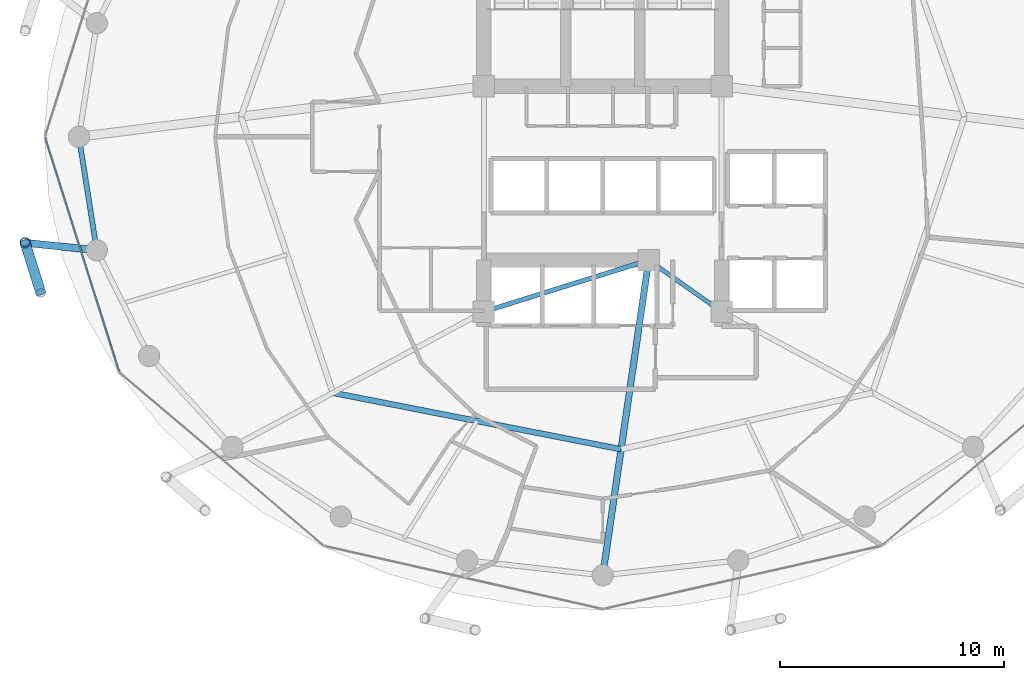
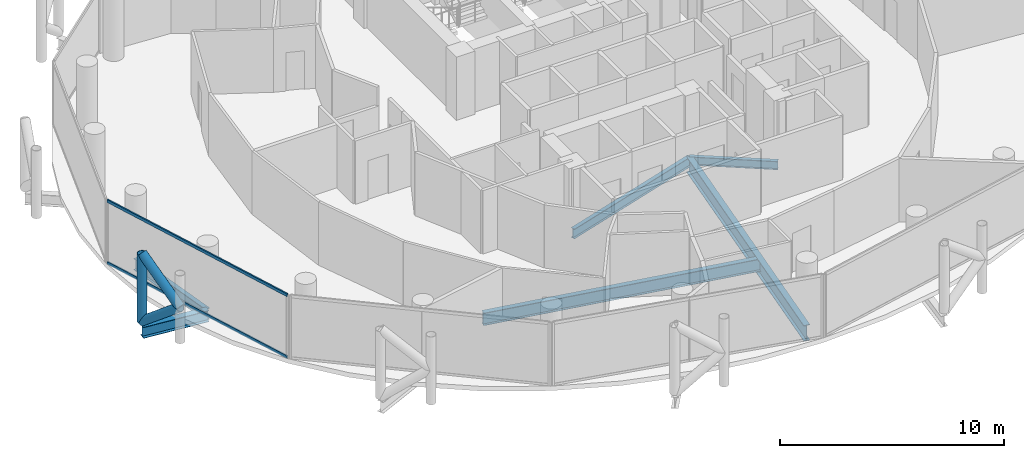
# One storey, part 5 of 26: 6 beams, 5 members, 1 element without a shape of its own.
"""IFC4 building model written with IfcOpenShell, lengths in metres."""

from ifc_helpers import new_model, si_unit, direction, frame, origin, origin_2d, place, context, subcontext, project, spatial, hollow_rectangle, hollow_circle, i_section, extrude, material, layer, layer_set, material_profile, profile_set, type_object, element, aggregate, save


model = new_model("IFC4")

# Units and contexts
model_context = context("Model", 3, precision=1e-05, world=origin(), true_north=direction((0.0, 1.0)))
body_context = subcontext(model_context, "Body", "Model", "MODEL_VIEW")
ifc_project = project(units=[si_unit("LENGTHUNIT", "METRE"), si_unit("AREAUNIT", "SQUARE_METRE"), si_unit("VOLUMEUNIT", "CUBIC_METRE"), si_unit("PLANEANGLEUNIT", "RADIAN"), si_unit("MASSUNIT", "GRAM", prefix="KILO")], contexts=[model_context])

# Site, building, storey
site_placement = place(None, origin())
site = spatial("IfcSite", under=ifc_project, at=site_placement, CompositionType="ELEMENT")
building_placement = place(site_placement, origin())
building = spatial("IfcBuilding", under=site, at=building_placement, Name="Nuhasar Tower", CompositionType="ELEMENT")
storey_placement = place(building_placement, frame((0.0, 0.0, 170.050048828125)))
storey = spatial("IfcBuildingStorey", under=building, at=storey_placement, Name="L41", CompositionType="ELEMENT", Elevation=170.050048828125)

# Beams
ifc_material_1 = material(Name="Steel S355", Category="steel")
ifc_material_profile_1 = material_profile(ifc_material_1, i_section(OverallWidth=0.25390625, OverallDepth=0.68408203125, WebThickness=0.012451171875, FlangeThickness=0.018798828125, at=origin_2d()), Name="W27X94")
ifc_profile_set_1 = profile_set([ifc_material_profile_1], Name="Steel S355")
beam_type_1 = type_object("IfcBeamType", Name="BM-INRING-W27X94", PredefinedType="BEAM", material=ifc_profile_set_1)
beam_1_placement = place(storey_placement, frame((26.972900390625, 15.385986328125, -0.592041015625), z_axis=(0.981359637088, -0.192180286956, 0.0), x_axis=(0.192180286956, 0.981359637088, 0.0)))
element("IfcBeam", 1, at=beam_1_placement, inside=storey, type_object=beam_type_1, Name="L41 Inner Header Beam 01", PredefinedType="BEAM", context=body_context, shape_type="SweptSolid", body=[
    extrude(i_section(OverallWidth=0.25390625, OverallDepth=0.68408203125, WebThickness=0.012451171875, FlangeThickness=0.018798828125, at=origin_2d()), origin(), (0.0, 0.0, 1.0), 13.09130859375),
])
ifc_material_profile_2 = material_profile(ifc_material_1, i_section(OverallWidth=0.2919921875, OverallDepth=0.85888671875, WebThickness=0.01708984375, FlangeThickness=0.031005859375, at=origin_2d()), Name="W33X169")
ifc_profile_set_2 = profile_set([ifc_material_profile_2], Name="Steel S355")
beam_type_2 = type_object("IfcBeamType", Name="BM-POD-W33X169", PredefinedType="BEAM", material=ifc_profile_set_2)
beam_2_placement = place(storey_placement, frame((41.050048828125, 21.300048828125, -0.678955078125), z_axis=(-0.144381604017, -0.989522082837, 0.0), x_axis=(0.989522082837, -0.144381604017, 0.0)))
element("IfcBeam", 2, at=beam_2_placement, inside=storey, type_object=beam_type_2, Name="L41 Radial Floor Girder 02", PredefinedType="BEAM", context=body_context, shape_type="SweptSolid", body=[
    extrude(i_section(OverallWidth=0.2919921875, OverallDepth=0.85888671875, WebThickness=0.01708984375, FlangeThickness=0.031005859375, at=origin_2d()), origin(), (0.0, 0.0, 1.0), 14.19873046875),
])
ifc_material_profile_3 = material_profile(ifc_material_1, i_section(OverallWidth=0.18994140625, OverallDepth=0.45703125, WebThickness=0.009033203125, FlangeThickness=0.014404296875, at=origin_2d()), Name="W18X50")
ifc_profile_set_3 = profile_set([ifc_material_profile_3], Name="Steel S355")
beam_type_3 = type_object("IfcBeamType", Name="BM-RAD-W18X50", PredefinedType="BEAM", material=ifc_profile_set_3)
beam_3_placement = place(storey_placement, frame((41.050048828125, 21.300048828125, -0.47802734375), z_axis=(0.816265428953, -0.577677028708, 0.0), x_axis=(0.577677028708, 0.816265428953, 0.0)))
element("IfcBeam", 3, at=beam_3_placement, inside=storey, type_object=beam_type_3, Name="L41 Core Ring Girder 2", PredefinedType="BEAM", context=body_context, shape_type="SweptSolid", body=[
    extrude(i_section(OverallWidth=0.18994140625, OverallDepth=0.45703125, WebThickness=0.009033203125, FlangeThickness=0.014404296875, at=origin_2d()), origin(), (0.0, 0.0, 1.0), 3.9814453125),
])
ifc_material_profile_4 = material_profile(ifc_material_1, i_section(OverallWidth=0.208984375, OverallDepth=0.532958984375, WebThickness=0.01025390625, FlangeThickness=0.015625, at=origin_2d()), Name="W21X62")
ifc_profile_set_4 = profile_set([ifc_material_profile_4], Name="Steel S355")
beam_type_4 = type_object("IfcBeamType", Name="BM-RAD-W21X62", PredefinedType="BEAM", material=ifc_profile_set_4)
beam_4_placement = place(storey_placement, frame((33.699951171875, 19.0, -0.51611328125), z_axis=(0.954363709454, 0.298646798205, 0.0), x_axis=(-0.298646798205, 0.954363709454, 0.0)))
element("IfcBeam", 4, at=beam_4_placement, inside=storey, type_object=beam_type_4, Name="L41 Core Ring Girder 1", PredefinedType="BEAM", context=body_context, shape_type="SweptSolid", body=[
    extrude(i_section(OverallWidth=0.208984375, OverallDepth=0.532958984375, WebThickness=0.01025390625, FlangeThickness=0.015625, at=origin_2d()), origin(), (0.0, 0.0, 1.0), 7.70166015625),
])
ifc_material_profile_5 = material_profile(ifc_material_1, i_section(OverallWidth=0.22998046875, OverallDepth=0.616943359375, WebThickness=0.01318359375, FlangeThickness=0.022216796875, at=origin_2d()), Name="W24X94")
ifc_profile_set_5 = profile_set([ifc_material_profile_5], Name="Steel S355")
beam_type_5 = type_object("IfcBeamType", Name="BM-RING-W24X94", PredefinedType="SPANDREL", material=ifc_profile_set_5)
beam_5_placement = place(storey_placement, frame((15.64990234375, 26.800048828125, -0.55810546875), z_axis=(0.155426543608, -0.987847452566, 0.0), x_axis=(0.987847452566, 0.155426543608, 0.0)))
element("IfcBeam", 5, at=beam_5_placement, inside=storey, type_object=beam_type_5, Name="L41 Perimeter Ring Spandrel 13", PredefinedType="SPANDREL", context=body_context, shape_type="SweptSolid", body=[
    extrude(i_section(OverallWidth=0.22998046875, OverallDepth=0.616943359375, WebThickness=0.01318359375, FlangeThickness=0.022216796875, at=origin_2d()), origin(), (0.0, 0.0, 1.0), 5.122314453125),
])
ifc_material_profile_6 = material_profile(ifc_material_1, i_section(OverallWidth=0.323974609375, OverallDepth=0.611083984375, WebThickness=0.0126953125, FlangeThickness=0.01904296875, at=origin_2d()), Name="W24X104")
ifc_profile_set_6 = profile_set([ifc_material_profile_6], Name="Steel S355")
beam_type_6 = type_object("IfcBeamType", Name="BM-TIE-W24X104", PredefinedType="BEAM", material=ifc_profile_set_6)
beam_6_placement = place(storey_placement, frame((16.446044921875, 21.739990234375, -0.554931640625), z_axis=(-0.994577694483, 0.103996200111, 0.0), x_axis=(-0.103996200111, -0.994577694483, 0.0)))
element("IfcBeam", 6, at=beam_6_placement, inside=storey, type_object=beam_type_6, Name="L41 Exoskeleton Node Tie Beam 07", PredefinedType="BEAM", context=body_context, shape_type="SweptSolid", body=[
    extrude(i_section(OverallWidth=0.323974609375, OverallDepth=0.611083984375, WebThickness=0.0126953125, FlangeThickness=0.01904296875, at=origin_2d()), origin(), (0.0, 0.0, 1.0), 3.21142578125),
])

# Curtain wall, members
ifc_material_2 = material(Name="Aluminium 6063-T6", Category="aluminium")
ifc_layer = layer(ifc_material_2, 0.199951171875)
ifc_layer_set = layer_set([ifc_layer], Name="Aluminium 6063-T6")
curtain_wall_type = type_object("IfcCurtainWallType", Name="CW-Z2-HTL", PredefinedType="NOTDEFINED", material=ifc_layer_set)
curtain_wall_placement = place(storey_placement, origin())
curtain_wall = element("IfcCurtainWall", 7, at=curtain_wall_placement, inside=storey, type_object=curtain_wall_type, Name="L41 Unitised Curtain Wall 07", PredefinedType="NOTDEFINED")
ifc_material_profile_7 = material_profile(ifc_material_2, hollow_rectangle(XDim=0.070068359375, YDim=0.159912109375, WallThickness=0.00439453125, at=origin_2d()), Name="CWT-3")
ifc_profile_set_7 = profile_set([ifc_material_profile_7], Name="Aluminium 6063-T6")
member_type_1 = type_object("IfcMemberType", Name="CW-TRN-S3", PredefinedType="USERDEFINED", material=ifc_profile_set_7)
member_1_placement = place(storey_placement, frame((14.1611328125, 26.733154296875, 0.034912109375), z_axis=(0.301608163352, -0.953431967053, 0.0), x_axis=(0.953431967053, 0.301608163352, 0.0)))
member_1 = element("IfcMember", 8, at=member_1_placement, type_object=member_type_1, Name="CW-Z2 transom 1.1", ObjectType="TRANSOM", PredefinedType="USERDEFINED", context=body_context, shape_type="SweptSolid", body=[
    extrude(hollow_rectangle(XDim=0.070068359375, YDim=0.159912109375, WallThickness=0.00439453125, at=origin_2d()), origin(), (0.0, 0.0, 1.0), 10.904296875),
])
member_2_placement = place(storey_placement, frame((14.1611328125, 26.733154296875, 3.4150390625), z_axis=(0.301608163352, -0.953431967053, 0.0), x_axis=(0.953431967053, 0.301608163352, 0.0)))
member_2 = element("IfcMember", 9, at=member_2_placement, type_object=member_type_1, Name="CW-Z2 transom 1.2", ObjectType="TRANSOM", PredefinedType="USERDEFINED", context=body_context, shape_type="SweptSolid", body=[
    extrude(hollow_rectangle(XDim=0.070068359375, YDim=0.159912109375, WallThickness=0.00439453125, at=origin_2d()), origin(), (0.0, 0.0, 1.0), 10.904296875),
])
aggregate(curtain_wall, [member_1, member_2])

# Members
ifc_material_3 = material(Name="Steel S460", Category="steel")
ifc_material_profile_8 = material_profile(ifc_material_3, hollow_circle(Radius=0.228515625, WallThickness=0.022216796875, at=origin_2d()), Name="HSS457X22.2")
ifc_profile_set_8 = profile_set([ifc_material_profile_8], Name="Steel S460")
member_type_2 = type_object("IfcMemberType", Name="EXO-BRONZE-457", PredefinedType="BRACE", material=ifc_profile_set_8)
member_3_placement = place(storey_placement, frame((13.251953125, 22.073974609375, 0.0), z_axis=(0.0, 0.0, 1.0), x_axis=(1.0, 0.0, 0.0)))
element("IfcMember", 10, at=member_3_placement, inside=storey, type_object=member_type_2, Name="L41 Exoskeleton Chord Column EC-07A", PredefinedType="BRACE", context=body_context, shape_type="SweptSolid", body=[
    extrude(hollow_circle(Radius=0.228515625, WallThickness=0.022216796875, at=origin_2d()), origin(), (0.0, 0.0, 1.0), 3.699951171875),
])
member_4_placement = place(storey_placement, frame((13.251953125, 22.073974609375, 0.0), z_axis=(0.233067628236, -0.74361641074, 0.626669062861), x_axis=(0.954228474306, 0.29907861646, 0.0)))
element("IfcMember", 11, at=member_4_placement, inside=storey, type_object=member_type_2, Name="L41 Bronze Diagrid Brace W1-07", PredefinedType="BRACE", context=body_context, shape_type="SweptSolid", body=[
    extrude(hollow_circle(Radius=0.228515625, WallThickness=0.022216796875, at=origin_2d()), origin(), (0.0, 0.0, 1.0), 2.951904296875),
])
member_5_placement = place(storey_placement, frame((13.93994140625, 19.87890625, 1.849853515625), z_axis=(-0.233055548538, 0.743577869731, 0.626719285599), x_axis=(-0.954228474306, -0.29907861646, 0.0)))
element("IfcMember", 12, at=member_5_placement, inside=storey, type_object=member_type_2, Name="L41 Bronze Diagrid Brace W2-07", PredefinedType="BRACE", context=body_context, shape_type="SweptSolid", body=[
    extrude(hollow_circle(Radius=0.228515625, WallThickness=0.022216796875, at=origin_2d()), origin(), (0.0, 0.0, 1.0), 2.9521484375),
])

save(model, "model.ifc")
